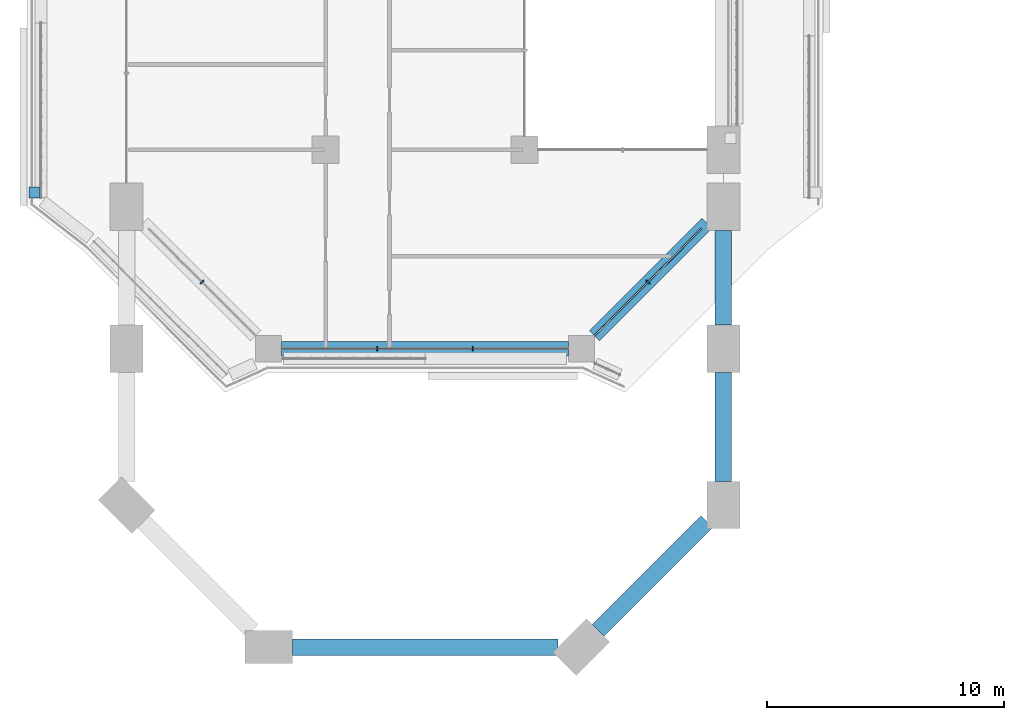
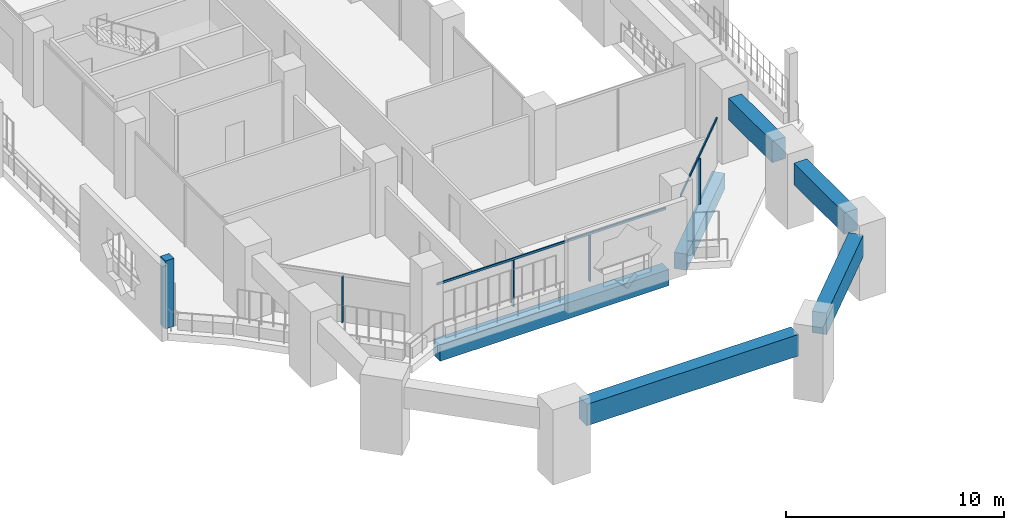
# One storey, part 2 of 27: 7 members, 6 beams, 4 elements without a shape of their own.
"""IFC4 building model written with IfcOpenShell, lengths in metres."""

from ifc_helpers import new_model, si_unit, direction, frame, origin, origin_2d, place, context, subcontext, project, spatial, rectangle, extrude, material, layer, layer_set, material_profile, profile_set, type_object, element, aggregate, save


model = new_model("IFC4")

# Units and contexts
model_context = context("Model", 3, precision=1e-05, world=origin(), true_north=direction((0.0, 1.0)))
body_context = subcontext(model_context, "Body", "Model", "MODEL_VIEW")
ifc_project = project(units=[si_unit("LENGTHUNIT", "METRE"), si_unit("AREAUNIT", "SQUARE_METRE"), si_unit("VOLUMEUNIT", "CUBIC_METRE"), si_unit("PLANEANGLEUNIT", "RADIAN"), si_unit("MASSUNIT", "GRAM", prefix="KILO")], contexts=[model_context])

# Site, building, storey
site_placement = place(None, origin())
site = spatial("IfcSite", under=ifc_project, at=site_placement, CompositionType="ELEMENT")
building_placement = place(site_placement, origin())
building = spatial("IfcBuilding", under=site, at=building_placement, Name="Kawkab Arch Medical Tower", CompositionType="ELEMENT")
storey_placement = place(building_placement, frame((0.0, 0.0, 103.0)))
storey = spatial("IfcBuildingStorey", under=building, at=storey_placement, Name="L23", CompositionType="ELEMENT", Elevation=103.0)

# Curtain wall, members
ifc_material_1 = material(Name="Bronze anodised aluminium curtain wall frame", Category="aluminium")
ifc_layer_1 = layer(ifc_material_1, 0.159912109375)
ifc_layer_set_1 = layer_set([ifc_layer_1], Name="Bronze anodised aluminium curtain wall frame")
curtain_wall_type_1 = type_object("IfcCurtainWallType", Name="CW1 ward curtain wall", PredefinedType="NOTDEFINED", material=ifc_layer_set_1)
placement = place(storey_placement, origin())
curtain_wall_1 = element("IfcCurtainWall", 1, at=placement, inside=storey, type_object=curtain_wall_type_1, Name="CW1 Ward curtain wall R15", PredefinedType="NOTDEFINED")
ifc_material_2 = material(Name="Bronze anodised aluminium curtain wall frame", Category="aluminium")
ifc_material_profile_1 = material_profile(ifc_material_2, rectangle(XDim=0.179931640625, YDim=0.06005859375, at=origin_2d()), Name="AL 60x180")
ifc_profile_set_1 = profile_set([ifc_material_profile_1], Name="Bronze anodised aluminium curtain wall frame")
member_type_1 = type_object("IfcMemberType", Name="CW1 mullion 60 x 180", PredefinedType="MULLION", material=ifc_profile_set_1)
member_1_placement = place(storey_placement, frame((10.583251953125, -58.800048828125, 0.0), z_axis=(0.0, 0.0, 1.0), x_axis=(0.0, 1.0, 0.0)))
member_1 = element("IfcMember", 2, at=member_1_placement, type_object=member_type_1, Name="CW1 mullion 1.1", PredefinedType="MULLION", context=body_context, shape_type="SweptSolid", body=[
    extrude(rectangle(XDim=0.179931640625, YDim=0.06005859375, at=origin_2d()), origin(), (0.0, 0.0, 1.0), 2.580078125),
])
member_2_placement = place(storey_placement, frame((14.61669921875, -58.800048828125, 0.0), z_axis=(0.0, 0.0, 1.0), x_axis=(0.0, 1.0, 0.0)))
member_2 = element("IfcMember", 3, at=member_2_placement, type_object=member_type_1, Name="CW1 mullion 1.2", PredefinedType="MULLION", context=body_context, shape_type="SweptSolid", body=[
    extrude(rectangle(XDim=0.179931640625, YDim=0.06005859375, at=origin_2d()), origin(), (0.0, 0.0, 1.0), 2.580078125),
])
ifc_material_3 = material(Name="Bronze anodised aluminium curtain wall frame", Category="aluminium")
ifc_material_profile_2 = material_profile(ifc_material_3, rectangle(XDim=0.06005859375, YDim=0.1201171875, at=origin_2d()), Name="AL 60x120")
ifc_profile_set_2 = profile_set([ifc_material_profile_2], Name="Bronze anodised aluminium curtain wall frame")
member_type_2 = type_object("IfcMemberType", Name="CW1 transom 120 x 60", PredefinedType="USERDEFINED", material=ifc_profile_set_2)
member_3_placement = place(storey_placement, frame((6.550048828125, -58.800048828125, 2.639892578125), z_axis=(1.0, 0.0, 0.0), x_axis=(0.0, 1.0, 0.0)))
member_3 = element("IfcMember", 4, at=member_3_placement, type_object=member_type_2, Name="CW1 transom 1", ObjectType="TRANSOM", PredefinedType="USERDEFINED", context=body_context, shape_type="SweptSolid", body=[
    extrude(rectangle(XDim=0.06005859375, YDim=0.1201171875, at=origin_2d()), origin(), (0.0, 0.0, 1.0), 12.099853515625),
])
aggregate(curtain_wall_1, [member_3, member_1, member_2])

# Curtain wall, member
ifc_material_4 = material(Name="Bronze anodised aluminium curtain wall frame", Category="aluminium")
ifc_layer_2 = layer(ifc_material_4, 0.159912109375)
ifc_layer_set_2 = layer_set([ifc_layer_2], Name="Bronze anodised aluminium curtain wall frame")
curtain_wall_type_2 = type_object("IfcCurtainWallType", Name="CW2 chamfer curtain wall", PredefinedType="NOTDEFINED", material=ifc_layer_set_2)
curtain_wall_2 = element("IfcCurtainWall", 5, at=placement, inside=storey, type_object=curtain_wall_type_2, Name="CW2 Chamfer curtain wall R14", PredefinedType="NOTDEFINED")
ifc_material_5 = material(Name="Bronze anodised aluminium curtain wall frame", Category="aluminium")
ifc_material_profile_3 = material_profile(ifc_material_5, rectangle(XDim=0.199951171875, YDim=0.06005859375, at=origin_2d()), Name="AL 60x200")
ifc_profile_set_3 = profile_set([ifc_material_profile_3], Name="Bronze anodised aluminium curtain wall frame")
member_type_3 = type_object("IfcMemberType", Name="CW2 mullion 60 x 200", PredefinedType="MULLION", material=ifc_profile_set_3)
member_4_placement = place(storey_placement, frame((3.190185546875, -55.990234375, 0.0), z_axis=(0.0, 0.0, 1.0), x_axis=(0.707106781187, 0.707106781187, 0.0)))
member_4 = element("IfcMember", 6, at=member_4_placement, type_object=member_type_3, Name="CW2 mullion 1.1", PredefinedType="MULLION", context=body_context, shape_type="SweptSolid", body=[
    extrude(rectangle(XDim=0.199951171875, YDim=0.06005859375, at=origin_2d()), origin(), (0.0, 0.0, 1.0), 2.56005859375),
])
aggregate(curtain_wall_2, [member_4])

# Curtain wall, members
curtain_wall_3 = element("IfcCurtainWall", 7, at=placement, inside=storey, type_object=curtain_wall_type_2, Name="CW2 Chamfer curtain wall R16", PredefinedType="NOTDEFINED")
member_5_placement = place(storey_placement, frame((22.009765625, -55.990234375, 0.0), z_axis=(0.0, 0.0, 1.0), x_axis=(-0.707106781187, 0.707106781187, 0.0)))
member_5 = element("IfcMember", 8, at=member_5_placement, type_object=member_type_3, Name="CW2 mullion 1.1", PredefinedType="MULLION", context=body_context, shape_type="SweptSolid", body=[
    extrude(rectangle(XDim=0.199951171875, YDim=0.06005859375, at=origin_2d()), origin(), (0.0, 0.0, 1.0), 2.56005859375),
])
ifc_material_6 = material(Name="Bronze anodised aluminium curtain wall frame", Category="aluminium")
ifc_material_profile_4 = material_profile(ifc_material_6, rectangle(XDim=0.06005859375, YDim=0.139892578125, at=origin_2d()), Name="AL 60x140")
ifc_profile_set_4 = profile_set([ifc_material_profile_4], Name="Bronze anodised aluminium curtain wall frame")
member_type_4 = type_object("IfcMemberType", Name="CW2 transom 140 x 60", PredefinedType="USERDEFINED", material=ifc_profile_set_4)
member_6_placement = place(storey_placement, frame((19.75, -58.25, 2.6298828125), z_axis=(0.707106781187, 0.707106781187, 0.0), x_axis=(-0.707106781187, 0.707106781187, 0.0)))
member_6 = element("IfcMember", 9, at=member_6_placement, type_object=member_type_4, Name="CW2 transom 1", ObjectType="TRANSOM", PredefinedType="USERDEFINED", context=body_context, shape_type="SweptSolid", body=[
    extrude(rectangle(XDim=0.06005859375, YDim=0.139892578125, at=origin_2d()), origin(), (0.0, 0.0, 1.0), 6.391845703125),
])
aggregate(curtain_wall_3, [member_6, member_5])

# Curtain wall, member
ifc_material_7 = material(Name="Bronze anodised aluminium climber frame, planted", Category="aluminium")
ifc_layer_3 = layer(ifc_material_7, 0.449951171875)
ifc_layer_set_3 = layer_set([ifc_layer_3], Name="Bronze anodised aluminium climber frame, planted")
curtain_wall_type_3 = type_object("IfcCurtainWallType", Name="Planted climber frame", PredefinedType="NOTDEFINED", material=ifc_layer_set_3)
curtain_wall_4 = element("IfcCurtainWall", 10, at=placement, inside=storey, type_object=curtain_wall_type_3, Name="Planted climber frame L23", PredefinedType="NOTDEFINED")
ifc_material_8 = material(Name="Bronze anodised aluminium climber frame, planted", Category="aluminium")
ifc_material_profile_5 = material_profile(ifc_material_8, rectangle(XDim=0.449951171875, YDim=0.449951171875, at=origin_2d()), Name="Post 450x450")
ifc_profile_set_5 = profile_set([ifc_material_profile_5], Name="Bronze anodised aluminium climber frame, planted")
member_type_5 = type_object("IfcMemberType", Name="Planted climber post 450 x 450", PredefinedType="MULLION", material=ifc_profile_set_5)
member_7_placement = place(storey_placement, frame((-3.89990234375, -52.202880859375, 0.0), z_axis=(0.0, 0.0, 1.0), x_axis=(1.0, 0.0, 0.0)))
member_7 = element("IfcMember", 11, at=member_7_placement, type_object=member_type_5, Name="Planted climber post L23.LOG-01-02.1", PredefinedType="MULLION", context=body_context, shape_type="SweptSolid", body=[
    extrude(rectangle(XDim=0.449951171875, YDim=0.449951171875, at=origin_2d()), origin(), (0.0, 0.0, 1.0), 3.800048828125),
])
aggregate(curtain_wall_4, [member_7])

# Beams
ifc_material_9 = material(Name="Concrete C55/67", Category="concrete")
ifc_material_profile_6 = material_profile(ifc_material_9, rectangle(XDim=0.60009765625, YDim=0.89990234375, at=origin_2d()), Name="RC 600x900")
ifc_profile_set_6 = profile_set([ifc_material_profile_6], Name="Concrete C55/67")
beam_type_1 = type_object("IfcBeamType", Name="RC 600x900 beam C55/67", PredefinedType="BEAM", material=ifc_profile_set_6)
beam_1_placement = place(storey_placement, frame((24.5, -53.5, -1.050048828125), z_axis=(-0.707106781187, -0.707106781187, 0.0), x_axis=(0.707106781187, -0.707106781187, 0.0)))
element("IfcBeam", 12, at=beam_1_placement, inside=storey, type_object=beam_type_1, Name="Overhang edge beam L23-08", PredefinedType="BEAM", context=body_context, shape_type="SweptSolid", body=[
    extrude(rectangle(XDim=0.60009765625, YDim=0.89990234375, at=origin_2d()), origin(), (0.0, 0.0, 1.0), 6.717529296875),
])
beam_2_placement = place(storey_placement, frame((18.64990234375, -58.800048828125, -1.050048828125), z_axis=(-1.0, 0.0, 0.0), x_axis=(0.0, -1.0, 0.0)))
element("IfcBeam", 13, at=beam_2_placement, inside=storey, type_object=beam_type_1, Name="Overhang edge beam L23-09", PredefinedType="BEAM", context=body_context, shape_type="SweptSolid", body=[
    extrude(rectangle(XDim=0.60009765625, YDim=0.89990234375, at=origin_2d()), origin(), (0.0, 0.0, 1.0), 12.099853515625),
])
ifc_material_10 = material(Name="Concrete C55/67", Category="concrete")
ifc_material_profile_7 = material_profile(ifc_material_10, rectangle(XDim=0.699951171875, YDim=1.199951171875, at=origin_2d()), Name="RC 700x1200")
ifc_profile_set_7 = profile_set([ifc_material_profile_7], Name="Concrete C55/67")
beam_type_2 = type_object("IfcBeamType", Name="RC 700x1200 beam C55/67", PredefinedType="BEAM", material=ifc_profile_set_7)
beam_3_placement = place(storey_placement, frame((25.199951171875, -53.800048828125, 3.0), z_axis=(0.0, -1.0, 0.0), x_axis=(1.0, 0.0, 0.0)))
element("IfcBeam", 14, at=beam_3_placement, inside=storey, type_object=beam_type_2, Name="Terrace frame beam TF-L22-1-L24-01", PredefinedType="BEAM", context=body_context, shape_type="SweptSolid", body=[
    extrude(rectangle(XDim=0.699951171875, YDim=1.199951171875, at=origin_2d()), origin(), (0.0, 0.0, 1.0), 4.0),
])
beam_4_placement = place(storey_placement, frame((25.199951171875, -59.800048828125, 3.0), z_axis=(0.0, -1.0, 0.0), x_axis=(1.0, 0.0, 0.0)))
element("IfcBeam", 15, at=beam_4_placement, inside=storey, type_object=beam_type_2, Name="Terrace frame beam TF-L22-1-L24-02", PredefinedType="BEAM", context=body_context, shape_type="SweptSolid", body=[
    extrude(rectangle(XDim=0.699951171875, YDim=1.199951171875, at=origin_2d()), origin(), (0.0, 0.0, 1.0), 4.599853515625),
])
beam_5_placement = place(storey_placement, frame((24.5, -66.10009765625, 3.0), z_axis=(-0.707125574473, -0.707087987401, 0.0), x_axis=(0.707087987401, -0.707125574473, 0.0)))
element("IfcBeam", 16, at=beam_5_placement, inside=storey, type_object=beam_type_2, Name="Terrace frame beam TF-L22-1-L24-03", PredefinedType="BEAM", context=body_context, shape_type="SweptSolid", body=[
    extrude(rectangle(XDim=0.699951171875, YDim=1.199951171875, at=origin_2d()), origin(), (0.0, 0.0, 1.0), 6.495361328125),
])
beam_6_placement = place(storey_placement, frame((18.210205078125, -71.39990234375, 3.0), z_axis=(-1.0, 0.0, 0.0), x_axis=(0.0, -1.0, 0.0)))
element("IfcBeam", 17, at=beam_6_placement, inside=storey, type_object=beam_type_2, Name="Terrace frame beam TF-L22-1-L24-04", PredefinedType="BEAM", context=body_context, shape_type="SweptSolid", body=[
    extrude(rectangle(XDim=0.699951171875, YDim=1.199951171875, at=origin_2d()), origin(), (0.0, 0.0, 1.0), 11.210205078125),
])

save(model, "model.ifc")
